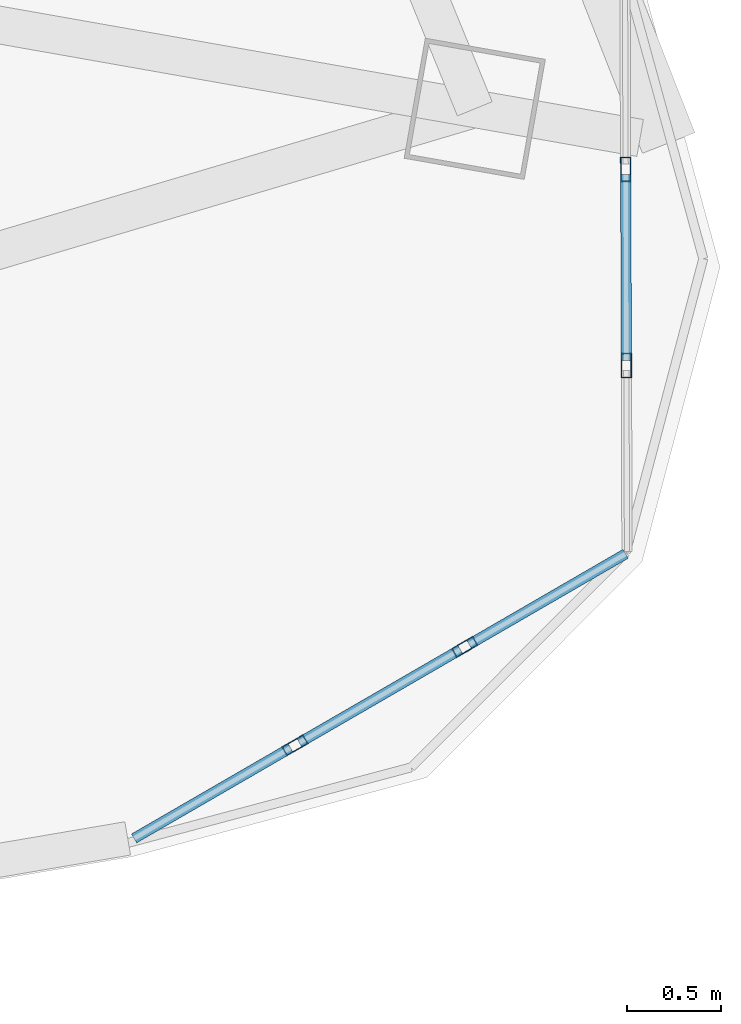
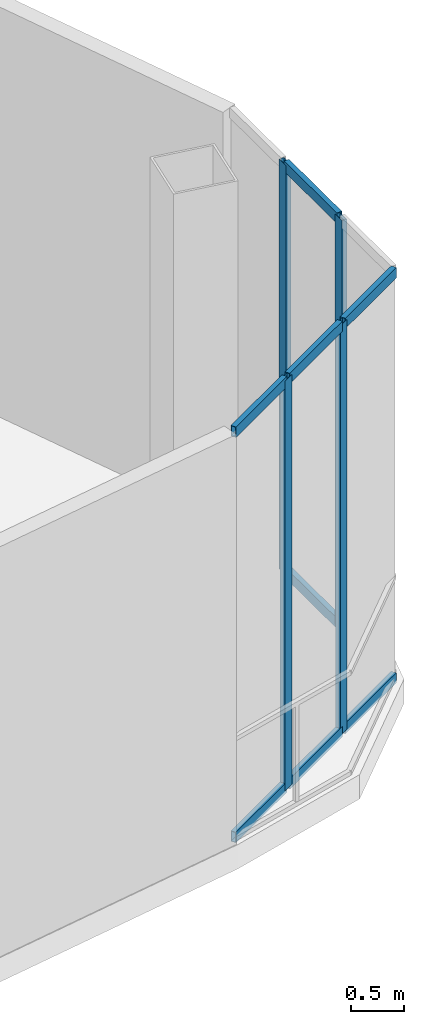
# One storey, part 17 of 33: 12 members, 2 elements without a shape of their own.
"""IFC4 building model written with IfcOpenShell, lengths in metres."""

import ifcopenshell
import ifcopenshell.guid

model = None  # the IFC model being written
_history = None  # IfcOwnerHistory: only IFC2X3 demands one
_inside = {}  # id of a spatial element -> (the spatial element, [elements in it])
_under = {}  # id of a project, library or spatial element -> (it, [spatial elements below it])
_declared = {}  # id of a project -> (the project, [libraries it declares])
_typed = {}  # id of a type object -> (the type object, [elements of that type])
_made_of = {}  # id of a material, layer set ... -> (it, [elements and type objects made of it])


def new_model(schema):
    """Start an empty IFC model of exactly this schema.

    Asked for "IFC4X3", IfcOpenShell would pick the latest addendum, in which some entities
    have other attributes; the version numbers below select the first issue.
    IFC2X3 requires an IfcOwnerHistory on every rooted entity: one is made here for all.
    """
    global model, _history
    if schema == "IFC4X3":
        model = ifcopenshell.file(schema_version=(4, 3, 0, 0))
    else:
        model = ifcopenshell.file(schema=schema)
    _inside.clear()
    _under.clear()
    _declared.clear()
    _typed.clear()
    _made_of.clear()
    _history = None
    if model.schema == "IFC2X3":
        org = make("IfcOrganization", Name="unknown")
        user = make(
            "IfcPersonAndOrganization",
            ThePerson=make("IfcPerson", FamilyName="unknown"),
            TheOrganization=org,
        )
        app = make(
            "IfcApplication",
            ApplicationDeveloper=org,
            Version="unknown",
            ApplicationFullName="unknown",
            ApplicationIdentifier="unknown",
        )
        _history = make(
            "IfcOwnerHistory",
            OwningUser=user,
            OwningApplication=app,
            ChangeAction="ADDED",
            CreationDate=0,
        )
    return model


def make(cls, **values):
    """One entity of the class cls with the attributes given. An attribute that is None is left unset."""
    return model.create_entity(
        cls, **{name: value for name, value in values.items() if value is not None}
    )


def rooted(cls, **values):
    """An entity with a GlobalId (a new one), such as an element, a storey or a relation."""
    return make(cls, GlobalId=ifcopenshell.guid.new(), OwnerHistory=_history, **values)


def si_unit(unit_type, name, prefix=None):
    """IfcSIUnit, for example si_unit("LENGTHUNIT", "METRE", prefix="MILLI")."""
    return make("IfcSIUnit", UnitType=unit_type, Prefix=prefix, Name=name)


def assignment(units):
    """IfcUnitAssignment: the units of a project."""
    return None if units is None else make("IfcUnitAssignment", Units=units)


def point(xyz):
    """IfcCartesianPoint."""
    return None if xyz is None else make("IfcCartesianPoint", Coordinates=xyz)


def direction(xyz):
    """IfcDirection."""
    return None if xyz is None else make("IfcDirection", DirectionRatios=xyz)


def frame(location, z_axis=None, x_axis=None):
    """IfcAxis2Placement3D, a coordinate frame: its origin and axes. An axis left out is left unset."""
    return make(
        "IfcAxis2Placement3D",
        Location=point(location),
        Axis=direction(z_axis),
        RefDirection=direction(x_axis),
    )


def frame_2d(location, x_axis=None):
    """IfcAxis2Placement2D, a coordinate frame in the plane: its origin and x axis."""
    return make(
        "IfcAxis2Placement2D", Location=point(location), RefDirection=direction(x_axis)
    )


def origin():
    """The frame at (0, 0, 0) with its axes left unset."""
    return frame((0.0, 0.0, 0.0))


def origin_2d():
    """The frame at (0, 0) in the plane with its x axis left unset."""
    return frame_2d((0.0, 0.0))


def place(relative_to, where):
    """IfcLocalPlacement: puts the frame where relative to a parent placement (None: the world)."""
    return make(
        "IfcLocalPlacement", PlacementRelTo=relative_to, RelativePlacement=where
    )


def context(
    kind, dimensions, precision=None, world=None, true_north=None, identifier=None
):
    """IfcGeometricRepresentationContext, for example the 3D "Model" context."""
    return make(
        "IfcGeometricRepresentationContext",
        ContextIdentifier=identifier,
        ContextType=kind,
        CoordinateSpaceDimension=dimensions,
        Precision=precision,
        WorldCoordinateSystem=world,
        TrueNorth=true_north,
    )


def subcontext(parent, identifier, kind, view, scale=None):
    """IfcGeometricRepresentationSubContext, for example "Body" below "Model"."""
    return make(
        "IfcGeometricRepresentationSubContext",
        ContextIdentifier=identifier,
        ContextType=kind,
        ParentContext=parent,
        TargetScale=scale,
        TargetView=view,
    )


def project(units=None, contexts=None):
    """IfcProject with its units and contexts."""
    return rooted(
        "IfcProject",
        Name="project",
        RepresentationContexts=contexts,
        UnitsInContext=assignment(units),
    )


def spatial(cls, under=None, at=None, **own):
    """A site, building, storey or space (cls), placed at a placement, below another one or the project."""
    s = rooted(cls, ObjectPlacement=at, **own)
    if under is not None:
        _under.setdefault(under.id(), (under, []))[1].append(s)
    return s


def profile(cls, at=None, kind="AREA", **sizes):
    """A parametric profile (cls). Its sizes go by their IFC names, for example OverallWidth=200.0."""
    return make(cls, ProfileType=kind, Position=at, **sizes)


def hollow_rectangle(**sizes):
    """IfcRectangleHollowProfileDef."""
    return profile("IfcRectangleHollowProfileDef", **sizes)


def extrude(swept, where, along, depth):
    """IfcExtrudedAreaSolid: the profile swept, set in the frame where, extruded along a direction by depth."""
    return make(
        "IfcExtrudedAreaSolid",
        SweptArea=swept,
        Position=where,
        ExtrudedDirection=direction(along),
        Depth=depth,
    )


def shape(context_of_items, identifier, shape_type, items):
    """IfcShapeRepresentation: the items that make up one representation, for example the "Body"."""
    return make(
        "IfcShapeRepresentation",
        ContextOfItems=context_of_items,
        RepresentationIdentifier=identifier,
        RepresentationType=shape_type,
        Items=items,
    )


def source(mapping_origin, context_of_items, identifier, shape_type, items):
    """IfcRepresentationMap: a shape defined once, which mapped items show again and again."""
    return make(
        "IfcRepresentationMap",
        MappingOrigin=mapping_origin,
        MappedRepresentation=shape(context_of_items, identifier, shape_type, items),
    )


def transform(
    local_origin,
    x_axis=None,
    y_axis=None,
    z_axis=None,
    scale=None,
    scale2=None,
    scale3=None,
    uniform=True,
):
    """IfcCartesianTransformationOperator3D, or its non-uniform kind. x_axis, y_axis, z_axis: its Axis1, 2, 3."""
    if uniform:
        return make(
            "IfcCartesianTransformationOperator3D",
            Axis1=direction(x_axis),
            Axis2=direction(y_axis),
            LocalOrigin=point(local_origin),
            Scale=scale,
            Axis3=direction(z_axis),
        )
    return make(
        "IfcCartesianTransformationOperator3DnonUniform",
        Axis1=direction(x_axis),
        Axis2=direction(y_axis),
        LocalOrigin=point(local_origin),
        Scale=scale,
        Axis3=direction(z_axis),
        Scale2=scale2,
        Scale3=scale3,
    )


def mapped(mapping_source, mapping_target):
    """IfcMappedItem: shows the shape of a source again, moved by a transform."""
    return make(
        "IfcMappedItem", MappingSource=mapping_source, MappingTarget=mapping_target
    )


def material(Name=None, Category=None):
    """IfcMaterial."""
    return make("IfcMaterial", Name=Name, Category=Category)


def layer(
    of_material, thickness, ventilated=None, Name=None, Category=None, Priority=None
):
    """IfcMaterialLayer: one layer of a wall or slab, of a material (None: an air gap)."""
    return make(
        "IfcMaterialLayer",
        Material=of_material,
        LayerThickness=thickness,
        IsVentilated=ventilated,
        Name=Name,
        Category=Category,
        Priority=Priority,
    )


def layer_set(layers, Name=None):
    """IfcMaterialLayerSet."""
    return make("IfcMaterialLayerSet", MaterialLayers=layers, LayerSetName=Name)


def material_profile(
    of_material, cross_section, Name=None, Category=None, Priority=None
):
    """IfcMaterialProfile: a cross section and its material."""
    return make(
        "IfcMaterialProfile",
        Name=Name,
        Material=of_material,
        Profile=cross_section,
        Priority=Priority,
        Category=Category,
    )


def profile_set(profiles, Name=None, composite=None):
    """IfcMaterialProfileSet."""
    return make(
        "IfcMaterialProfileSet",
        Name=Name,
        MaterialProfiles=profiles,
        CompositeProfile=composite,
    )


def made_of(thing, what):
    """Note that an element or type object is made of a material, layer set ...; save() writes the relation."""
    if what is not None:
        _made_of.setdefault(what.id(), (what, []))[1].append(thing)
    return thing


def type_object(cls, material=None, **own):
    """A type object (cls), such as IfcWallType, which elements share."""
    return made_of(rooted(cls, **own), material)


def element(
    cls,
    number,
    at=None,
    inside=None,
    cuts=None,
    type_object=None,
    material=None,
    context=None,
    identifier="Body",
    shape_type=None,
    held_by="IfcProductDefinitionShape",
    body=None,
    shapes=None,
    **own,
):
    """One element of the class cls, such as IfcWall. Its Tag is "e" and its number.

    at: its placement. inside: the storey or other place that contains it. cuts: it is an
    opening in that element (IfcRelVoidsElement). A single representation is given by context,
    identifier, shape_type and body (its items); several are given by shapes. held_by: the class
    of the entity that holds the representations. save() writes the other relations.
    """
    e = rooted(cls, Tag="e%d" % number, ObjectPlacement=at, **own)
    if body is not None:
        shapes = [shape(context, identifier, shape_type, body)]
    if shapes is not None:
        e.Representation = make(held_by, Representations=shapes)
    if inside is not None:
        _inside.setdefault(inside.id(), (inside, []))[1].append(e)
    if cuts is not None:
        rooted(
            "IfcRelVoidsElement", RelatingBuildingElement=cuts, RelatedOpeningElement=e
        )
    if type_object is not None:
        _typed.setdefault(type_object.id(), (type_object, []))[1].append(e)
    return made_of(e, material)


def aggregate(whole, parts):
    """IfcRelAggregates: a whole, such as a stair, and the parts it consists of."""
    return rooted("IfcRelAggregates", RelatingObject=whole, RelatedObjects=parts)


def save(model, path):
    """Write the relations noted so far, then the file.

    IfcRelAggregates (storeys below a building ...), IfcRelContainedInSpatialStructure (elements
    in a storey), IfcRelDefinesByType, IfcRelAssociatesMaterial and IfcRelDeclares: one each for
    every whole, place, type object, material and project.
    """
    for whole, parts in _under.values():
        aggregate(whole, parts)
    for where, things in _inside.values():
        rooted(
            "IfcRelContainedInSpatialStructure",
            RelatedElements=things,
            RelatingStructure=where,
        )
    for kind, things in _typed.values():
        rooted("IfcRelDefinesByType", RelatedObjects=things, RelatingType=kind)
    for what, things in _made_of.values():
        rooted("IfcRelAssociatesMaterial", RelatedObjects=things, RelatingMaterial=what)
    for by, libraries in _declared.values():
        rooted("IfcRelDeclares", RelatingContext=by, RelatedDefinitions=libraries)
    model.write(path)


model = new_model("IFC4")

# Units and contexts
model_context = context("Model", 3, precision=1e-05, world=origin(), true_north=direction((0.0, 1.0)))
body_context = subcontext(model_context, "Body", "Model", "MODEL_VIEW")
ifc_project = project(units=[si_unit("LENGTHUNIT", "METRE"), si_unit("AREAUNIT", "SQUARE_METRE"), si_unit("VOLUMEUNIT", "CUBIC_METRE"), si_unit("PLANEANGLEUNIT", "RADIAN"), si_unit("MASSUNIT", "GRAM", prefix="KILO"), si_unit("THERMODYNAMICTEMPERATUREUNIT", "KELVIN"), si_unit("POWERUNIT", "WATT")], contexts=[model_context])

# Site, building, storey
site_placement = place(None, origin())
site = spatial("IfcSite", under=ifc_project, at=site_placement, CompositionType="ELEMENT")
building_placement = place(site_placement, origin())
building = spatial("IfcBuilding", under=site, at=building_placement, Name="Yunzhuo Pagoda Commons", CompositionType="ELEMENT")
storey_placement = place(building_placement, frame((0.0, 0.0, 391.760009765625)))
storey = spatial("IfcBuildingStorey", under=building, at=storey_placement, Name="L97", CompositionType="ELEMENT", Elevation=391.760009765625)

# Curtain wall, members
ifc_material = material(Name="Anodized aluminium 6063-T6", Category="aluminium")
ifc_layer = layer(ifc_material, 0.1298828125)
ifc_layer_set = layer_set([ifc_layer], Name="Anodized aluminium 6063-T6")
curtain_wall_type = type_object("IfcCurtainWallType", Name="CW-VTX Rounded Corner Curtain Wall", PredefinedType="NOTDEFINED", material=ifc_layer_set)
curtain_wall_1_placement = place(storey_placement, origin())
curtain_wall_1 = element("IfcCurtainWall", 1, at=curtain_wall_1_placement, inside=storey, type_object=curtain_wall_type, Name="L97 curtain wall CW-L97-CRNV2S1", PredefinedType="NOTDEFINED")
ifc_material_profile_1 = material_profile(ifc_material, hollow_rectangle(XDim=0.054931640625, YDim=0.1298828125, WallThickness=0.00341796875, at=origin_2d()), Name="Anodized aluminium 6063-T6")
ifc_profile_set_1 = profile_set([ifc_material_profile_1], Name="Anodized aluminium 6063-T6")
member_type_1 = type_object("IfcMemberType", Name="CW-VTX-M Mullion RHS 130x55x3.5", PredefinedType="MULLION", material=ifc_profile_set_1)
shared_shape_1 = source(origin(), body_context, "Body", "SweptSolid", [
    extrude(hollow_rectangle(XDim=0.054931640625, YDim=0.1298828125, WallThickness=0.00341796875, at=origin_2d()), origin(), (0.0, 0.0, 1.0), 4.72021484375),
])
member_1_placement = place(storey_placement, frame((71.511474609375, 25.991455078125, 0.0), z_axis=(0.0, 0.0, 1.0), x_axis=(-0.501041294531, 0.865423376836, 0.0)))
member_1 = element("IfcMember", 2, at=member_1_placement, type_object=member_type_1, Name="CW mullion 2", PredefinedType="MULLION", context=body_context, shape_type="MappedRepresentation", body=[
    mapped(shared_shape_1, transform((0.0, 0.0, 0.0), scale=1.0)),
])
member_2_placement = place(storey_placement, frame((72.416748046875, 26.515625, 0.0), z_axis=(0.0, 0.0, 1.0), x_axis=(-0.501041294531, 0.865423376836, 0.0)))
member_2 = element("IfcMember", 3, at=member_2_placement, type_object=member_type_1, Name="CW mullion 3", PredefinedType="MULLION", context=body_context, shape_type="MappedRepresentation", body=[
    mapped(shared_shape_1, transform((0.0, 0.0, 0.0), scale=1.0)),
])

curtain_wall_2_placement = place(storey_placement, origin())
curtain_wall_2 = element("IfcCurtainWall", 4, at=curtain_wall_2_placement, inside=storey, type_object=curtain_wall_type, Name="L97 curtain wall CW-L97-CRNV2S2", PredefinedType="NOTDEFINED")
member_3_placement = place(storey_placement, frame((73.27880859375, 28.016357421875, 0.0), z_axis=(0.0, 0.0, 1.0), x_axis=(-0.99999363226, -0.003568674704, 0.0)))
member_3 = element("IfcMember", 5, at=member_3_placement, type_object=member_type_1, Name="CW mullion 2", PredefinedType="MULLION", context=body_context, shape_type="MappedRepresentation", body=[
    mapped(shared_shape_1, transform((0.0, 0.0, 0.0), scale=1.0)),
])
member_4_placement = place(storey_placement, frame((73.27490234375, 29.0625, 0.0), z_axis=(0.0, 0.0, 1.0), x_axis=(-0.99999363226, -0.003568674704, 0.0)))
member_4 = element("IfcMember", 6, at=member_4_placement, type_object=member_type_1, Name="CW mullion 3", PredefinedType="MULLION", context=body_context, shape_type="MappedRepresentation", body=[
    mapped(shared_shape_1, transform((0.0, 0.0, 0.0), scale=1.0)),
])

# Member
ifc_material_profile_2 = material_profile(ifc_material, hollow_rectangle(XDim=0.054931640625, YDim=0.1201171875, WallThickness=0.00341796875, at=origin_2d()), Name="Anodized aluminium 6063-T6")
ifc_profile_set_2 = profile_set([ifc_material_profile_2], Name="Anodized aluminium 6063-T6")
member_type_2 = type_object("IfcMemberType", Name="CW-VTX-T Transom RHS 120x55x3.5", PredefinedType="USERDEFINED", material=ifc_profile_set_2)
shared_shape_2 = source(origin(), body_context, "Body", "SweptSolid", [
    extrude(hollow_rectangle(XDim=0.054931640625, YDim=0.1201171875, WallThickness=0.00341796875, at=origin_2d()), origin(), (0.0, 0.0, 1.0), 0.963623046875),
])
member_5_placement = place(storey_placement, frame((72.440673828125, 26.529296875, 0.027587890625), z_axis=(0.865391594413, 0.501096186694, 0.0), x_axis=(-0.501096186694, 0.865391594413, 0.0)))
member_5 = element("IfcMember", 7, at=member_5_placement, type_object=member_type_2, Name="CW transom 3.1", ObjectType="TRANSOM", PredefinedType="USERDEFINED", context=body_context, shape_type="MappedRepresentation", body=[
    mapped(shared_shape_2, transform((0.0, 0.0, 0.0), scale=1.0)),
])

member_6_placement = place(storey_placement, frame((72.440673828125, 26.529296875, 4.6923828125), z_axis=(0.865391594413, 0.501096186694, 0.0), x_axis=(-0.501096186694, 0.865391594413, 0.0)))
member_6 = element("IfcMember", 8, at=member_6_placement, type_object=member_type_2, Name="CW transom 3.2", ObjectType="TRANSOM", PredefinedType="USERDEFINED", context=body_context, shape_type="MappedRepresentation", body=[
    mapped(shared_shape_2, transform((0.0, 0.0, 0.0), scale=1.0)),
])

shared_shape_3 = source(origin(), body_context, "Body", "SweptSolid", [
    extrude(hollow_rectangle(XDim=0.054931640625, YDim=0.1201171875, WallThickness=0.00341796875, at=origin_2d()), origin(), (0.0, 0.0, 1.0), 0.990966796875),
])
member_7_placement = place(storey_placement, frame((73.27880859375, 28.0439453125, 0.027587890625), z_axis=(-0.003941826976, 0.99999223097, 0.0), x_axis=(-0.99999223097, -0.003941826976, 0.0)))
member_7 = element("IfcMember", 9, at=member_7_placement, type_object=member_type_2, Name="CW transom 2.1", ObjectType="TRANSOM", PredefinedType="USERDEFINED", context=body_context, shape_type="MappedRepresentation", body=[
    mapped(shared_shape_3, transform((0.0, 0.0, 0.0), scale=1.0)),
])

member_8_placement = place(storey_placement, frame((73.27880859375, 28.0439453125, 4.6923828125), z_axis=(-0.003941826976, 0.99999223097, 0.0), x_axis=(-0.99999223097, -0.003941826976, 0.0)))
member_8 = element("IfcMember", 10, at=member_8_placement, type_object=member_type_2, Name="CW transom 2.2", ObjectType="TRANSOM", PredefinedType="USERDEFINED", context=body_context, shape_type="MappedRepresentation", body=[
    mapped(shared_shape_3, transform((0.0, 0.0, 0.0), scale=1.0)),
])

aggregate(curtain_wall_2, [member_3, member_4, member_7, member_8])

shared_shape_4 = source(origin(), body_context, "Body", "SweptSolid", [
    extrude(hollow_rectangle(XDim=0.054931640625, YDim=0.1201171875, WallThickness=0.00341796875, at=origin_2d()), origin(), (0.0, 0.0, 1.0), 0.9912109375),
])
member_9_placement = place(storey_placement, frame((71.53515625, 26.005126953125, 0.027587890625), z_axis=(0.86547124823, 0.500958599573, 0.0), x_axis=(-0.500958599573, 0.86547124823, 0.0)))
member_9 = element("IfcMember", 11, at=member_9_placement, type_object=member_type_2, Name="CW transom 2.1", ObjectType="TRANSOM", PredefinedType="USERDEFINED", context=body_context, shape_type="MappedRepresentation", body=[
    mapped(shared_shape_4, transform((0.0, 0.0, 0.0), scale=1.0)),
])

member_10_placement = place(storey_placement, frame((71.53515625, 26.005126953125, 4.6923828125), z_axis=(0.86547124823, 0.500958599573, 0.0), x_axis=(-0.500958599573, 0.86547124823, 0.0)))
member_10 = element("IfcMember", 12, at=member_10_placement, type_object=member_type_2, Name="CW transom 2.2", ObjectType="TRANSOM", PredefinedType="USERDEFINED", context=body_context, shape_type="MappedRepresentation", body=[
    mapped(shared_shape_4, transform((0.0, 0.0, 0.0), scale=1.0)),
])

shared_shape_5 = source(origin(), body_context, "Body", "SweptSolid", [
    extrude(hollow_rectangle(XDim=0.054931640625, YDim=0.1201171875, WallThickness=0.00341796875, at=origin_2d()), origin(), (0.0, 0.0, 1.0), 0.96337890625),
])
member_11_placement = place(storey_placement, frame((70.65380859375, 25.494873046875, 0.027587890625), z_axis=(0.865437852253, 0.501016291041, 0.0), x_axis=(-0.501016291041, 0.865437852253, 0.0)))
member_11 = element("IfcMember", 13, at=member_11_placement, type_object=member_type_2, Name="CW transom 1.1", ObjectType="TRANSOM", PredefinedType="USERDEFINED", context=body_context, shape_type="MappedRepresentation", body=[
    mapped(shared_shape_5, transform((0.0, 0.0, 0.0), scale=1.0)),
])

member_12_placement = place(storey_placement, frame((70.65380859375, 25.494873046875, 4.6923828125), z_axis=(0.865437852253, 0.501016291041, 0.0), x_axis=(-0.501016291041, 0.865437852253, 0.0)))
member_12 = element("IfcMember", 14, at=member_12_placement, type_object=member_type_2, Name="CW transom 1.2", ObjectType="TRANSOM", PredefinedType="USERDEFINED", context=body_context, shape_type="MappedRepresentation", body=[
    mapped(shared_shape_5, transform((0.0, 0.0, 0.0), scale=1.0)),
])

aggregate(curtain_wall_1, [member_1, member_2, member_11, member_12, member_9, member_10, member_5, member_6])

save(model, "model.ifc")
